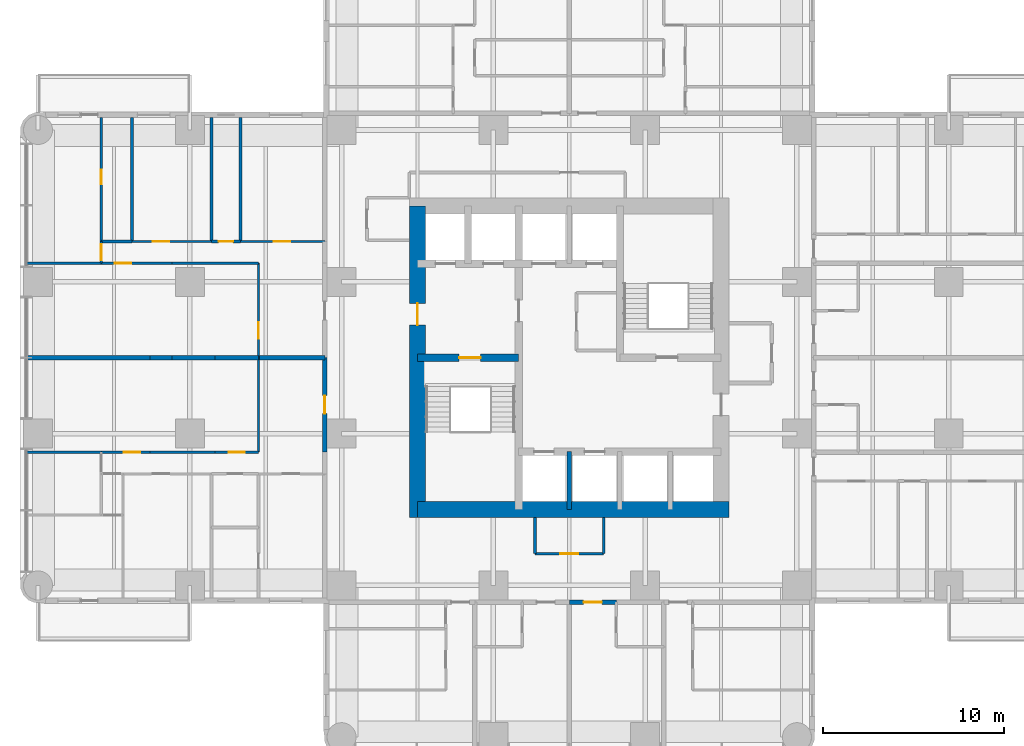
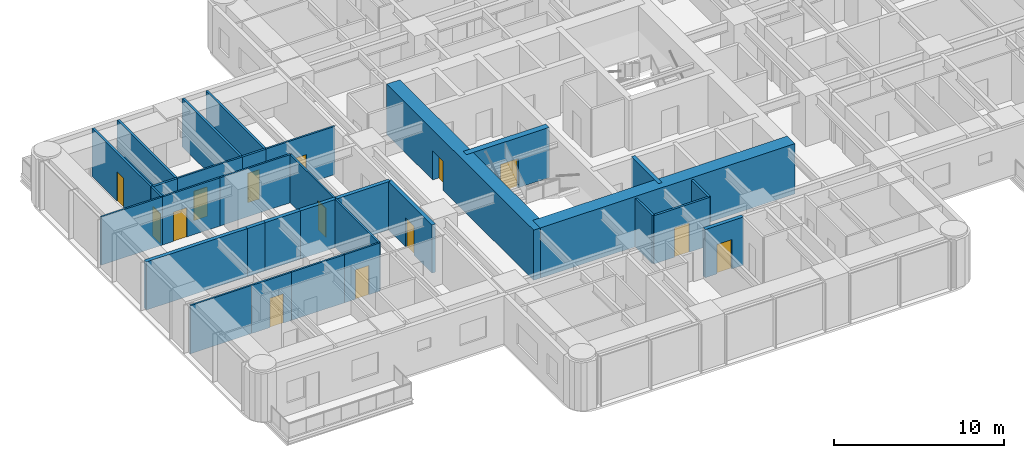
# One storey, part 7 of 14: 32 walls, 14 doors, 14 openings.
"""IFC4 building model written with IfcOpenShell, lengths in metres."""

from ifc_helpers import new_model, si_unit, direction, frame, frame_2d, origin, place, context, subcontext, project, spatial, rectangle, extrude, material, layer, layer_set, type_object, element, fill, save


model = new_model("IFC4")

# Units and contexts
model_context = context("Model", 3, precision=1e-05, world=origin(), true_north=direction((0.0, 1.0)))
body_context = subcontext(model_context, "Body", "Model", "MODEL_VIEW")
ifc_project = project(units=[si_unit("LENGTHUNIT", "METRE"), si_unit("AREAUNIT", "SQUARE_METRE"), si_unit("VOLUMEUNIT", "CUBIC_METRE"), si_unit("PLANEANGLEUNIT", "RADIAN"), si_unit("MASSUNIT", "GRAM", prefix="KILO")], contexts=[model_context])

# Site, building, storey
site_placement = place(None, origin())
site = spatial("IfcSite", under=ifc_project, at=site_placement, CompositionType="ELEMENT")
building_placement = place(site_placement, origin())
building = spatial("IfcBuilding", under=site, at=building_placement, Name="Torre Alcanfor", CompositionType="ELEMENT")
storey_placement = place(building_placement, frame((0.0, 0.0, 159.300048828125)))
storey = spatial("IfcBuildingStorey", under=building, at=storey_placement, Name="L41", CompositionType="ELEMENT", Elevation=159.300048828125)

# Wall, opening, door
ifc_material_1 = material(Name="Concrete block masonry, hollow blocks NMX-C-404 9 MPa", Category="masonry")
ifc_layer_1 = layer(ifc_material_1, 0.25)
ifc_layer_set_1 = layer_set([ifc_layer_1], Name="Apartment entrance wall 250 EI 60")
wall_type_1 = type_object("IfcWallType", Name="Apartment entrance wall 250 EI 60", PredefinedType="PARTITIONING", material=ifc_layer_set_1)
wall_1_placement = place(storey_placement, frame((32.0, 15.875, 0.0), z_axis=(0.0, 0.0, 1.0), x_axis=(-1.0, 0.0, 0.0)))
wall_1 = element("IfcWall", 1, at=wall_1_placement, inside=storey, type_object=wall_type_1, Name="Partition L41-CORR / L41-S1A-STUDIO", PredefinedType="PARTITIONING", context=body_context, shape_type="SweptSolid", body=[
    extrude(rectangle(XDim=2.60009765625, YDim=0.25, at=frame_2d((1.300048828125, 0.0))), origin(), (0.0, 0.0, 1.0), 3.449951171875),
])
opening_1_placement = place(wall_1_placement, frame((0.800048828125, 0.0, 0.0)))
opening_1 = element("IfcOpeningElement", 2, at=opening_1_placement, cuts=wall_1, Name="Opening D-A1", PredefinedType="OPENING", context=body_context, shape_type="SweptSolid", body=[
    extrude(rectangle(XDim=1.0, YDim=2.10009765625, at=frame_2d((0.5, 1.050048828125))), frame((0.0, 0.135009765625, 0.0), z_axis=(0.0, -1.0, 0.0), x_axis=(1.0, 0.0, 0.0)), (0.0, 0.0, 1.0), 0.27001953125),
])
ifc_material_2 = material(Name="Galvanised steel sheet ASTM A653", Category="steel")
door_type_1 = type_object("IfcDoorType", Name="Apartment entrance door FD60 1000x2100", OperationType="SINGLE_SWING_LEFT", PredefinedType="DOOR", material=ifc_material_2)
door_1_placement = place(opening_1_placement, origin())
door_1 = element("IfcDoor", 3, at=door_1_placement, inside=storey, type_object=door_type_1, Name="Apartment entrance L41-S1A", OperationType="SINGLE_SWING_LEFT", OverallHeight=2.10009765625, OverallWidth=1.0, PredefinedType="DOOR", context=body_context, shape_type="SweptSolid", body=[
    extrude(rectangle(XDim=1.0, YDim=2.10009765625, at=frame_2d((0.5, 1.050048828125))), frame((0.0, 0.02490234375, 0.0), z_axis=(0.0, -1.0, 0.0), x_axis=(1.0, 0.0, 0.0)), (0.0, 0.0, 1.0), 0.050048828125),
])
fill(opening_1, door_1)

wall_2_placement = place(storey_placement, frame((15.875, 24.1708984375, 0.0), z_axis=(0.0, 0.0, 1.0), x_axis=(0.0, 1.0, 0.0)))
wall_2 = element("IfcWall", 4, at=wall_2_placement, inside=storey, type_object=wall_type_1, Name="Partition L41-CORR / L41-W1-ZAG", PredefinedType="PARTITIONING", context=body_context, shape_type="SweptSolid", body=[
    extrude(rectangle(XDim=5.22900390625, YDim=0.25, at=frame_2d((2.614501953125, 0.0))), origin(), (0.0, 0.0, 1.0), 3.449951171875),
])
opening_2_placement = place(wall_2_placement, frame((2.12890625, 0.0, 0.0)))
opening_2 = element("IfcOpeningElement", 5, at=opening_2_placement, cuts=wall_2, Name="Opening D-A1", PredefinedType="OPENING", context=body_context, shape_type="SweptSolid", body=[
    extrude(rectangle(XDim=1.0, YDim=2.10009765625, at=frame_2d((0.5, 1.050048828125))), frame((0.0, 0.135009765625, 0.0), z_axis=(0.0, -1.0, 0.0), x_axis=(1.0, 0.0, 0.0)), (0.0, 0.0, 1.0), 0.27001953125),
])
door_2_placement = place(opening_2_placement, origin())
door_2 = element("IfcDoor", 6, at=door_2_placement, inside=storey, type_object=door_type_1, Name="Apartment entrance L41-W1", OperationType="SINGLE_SWING_RIGHT", OverallHeight=2.10009765625, OverallWidth=1.0, PredefinedType="DOOR", context=body_context, shape_type="SweptSolid", body=[
    extrude(rectangle(XDim=1.0, YDim=2.10009765625, at=frame_2d((0.5, 1.050048828125))), frame((0.0, 0.02490234375, 0.0), z_axis=(0.0, -1.0, 0.0), x_axis=(1.0, 0.0, 0.0)), (0.0, 0.0, 1.0), 0.050048828125),
])
fill(opening_2, door_2)

# Wall
ifc_material_3 = material(Name="Gypsum board on steel studs", Category="steel")
ifc_layer_2 = layer(ifc_material_3, 0.1201171875)
ifc_layer_set_2 = layer_set([ifc_layer_2], Name="Apartment partition 120")
wall_type_2 = type_object("IfcWallType", Name="Apartment partition 120", PredefinedType="PARTITIONING", material=ifc_layer_set_2)
wall_3_placement = place(storey_placement, frame((12.199951171875, 29.39990234375, 0.0), z_axis=(0.0, 0.0, 1.0), x_axis=(0.0, -1.0, 0.0)))
element("IfcWall", 7, at=wall_3_placement, inside=storey, type_object=wall_type_2, Name="Partition L41-W1-ZAG / L41-W1-LAUND", PredefinedType="PARTITIONING", context=body_context, shape_type="SweptSolid", body=[
    extrude(rectangle(XDim=5.22900390625, YDim=0.1201171875, at=frame_2d((2.614501953125, 0.0))), origin(), (0.0, 0.0, 1.0), 3.449951171875),
])

# Wall, opening, door
wall_4_placement = place(storey_placement, frame((9.800048828125, 24.1708984375, 0.0), z_axis=(0.0, 0.0, 1.0), x_axis=(1.0, 0.0, 0.0)))
wall_4 = element("IfcWall", 8, at=wall_4_placement, inside=storey, type_object=wall_type_2, Name="Partition L41-W1-LAUND / L41-W1-HALL", PredefinedType="PARTITIONING", context=body_context, shape_type="SweptSolid", body=[
    extrude(rectangle(XDim=2.39990234375, YDim=0.1201171875, at=frame_2d((1.199951171875, 0.0))), origin(), (0.0, 0.0, 1.0), 3.449951171875),
])
opening_3_placement = place(wall_4_placement, frame((0.75, 0.0, 0.0)))
opening_3 = element("IfcOpeningElement", 9, at=opening_3_placement, cuts=wall_4, Name="Opening D-R1", PredefinedType="OPENING", context=body_context, shape_type="SweptSolid", body=[
    extrude(rectangle(XDim=0.89990234375, YDim=2.10009765625, at=frame_2d((0.449951171875, 1.050048828125))), frame((0.0, 0.070068359375, 0.0), z_axis=(0.0, -1.0, 0.0), x_axis=(1.0, 0.0, 0.0)), (0.0, 0.0, 1.0), 0.14013671875),
])
ifc_material_4 = material(Name="Timber", Category="wood")
door_type_2 = type_object("IfcDoorType", Name="Internal door 900x2100", OperationType="SINGLE_SWING_LEFT", PredefinedType="DOOR", material=ifc_material_4)
door_3_placement = place(opening_3_placement, origin())
door_3 = element("IfcDoor", 10, at=door_3_placement, inside=storey, type_object=door_type_2, Name="Door L41-W1 laund", OperationType="SINGLE_SWING_LEFT", OverallHeight=2.10009765625, OverallWidth=0.89990234375, PredefinedType="DOOR", context=body_context, shape_type="SweptSolid", body=[
    extrude(rectangle(XDim=0.89990234375, YDim=2.10009765625, at=frame_2d((0.449951171875, 1.050048828125))), frame((0.0, 0.02490234375, 0.0), z_axis=(0.0, -1.0, 0.0), x_axis=(1.0, 0.0, 0.0)), (0.0, 0.0, 1.0), 0.050048828125),
])
fill(opening_3, door_3)

# Wall
wall_5_placement = place(storey_placement, frame((6.199951171875, 24.1708984375, 0.0), z_axis=(0.0, 0.0, 1.0), x_axis=(1.0, 0.0, 0.0)))
element("IfcWall", 11, at=wall_5_placement, inside=storey, type_object=wall_type_2, Name="Partition L41-W1-KITCHEN / L41-W1-HALL", PredefinedType="PARTITIONING", context=body_context, shape_type="SweptSolid", body=[
    extrude(rectangle(XDim=3.60009765625, YDim=0.1201171875, at=frame_2d((1.800048828125, 0.0))), origin(), (0.0, 0.0, 1.0), 3.449951171875),
])

# Wall, opening, door
wall_6_placement = place(storey_placement, frame((3.5, 24.1708984375, 0.0), z_axis=(0.0, 0.0, 1.0), x_axis=(1.0, 0.0, 0.0)))
wall_6 = element("IfcWall", 12, at=wall_6_placement, inside=storey, type_object=wall_type_2, Name="Partition L41-W1-LIVING / L41-W1-HALL", PredefinedType="PARTITIONING", context=body_context, shape_type="SweptSolid", body=[
    extrude(rectangle(XDim=2.699951171875, YDim=0.1201171875, at=frame_2d((1.35009765625, 0.0))), origin(), (0.0, 0.0, 1.0), 3.449951171875),
])
opening_4_placement = place(wall_6_placement, frame((1.25, 0.0, 0.0)))
opening_4 = element("IfcOpeningElement", 13, at=opening_4_placement, cuts=wall_6, Name="Opening D-R1", PredefinedType="OPENING", context=body_context, shape_type="SweptSolid", body=[
    extrude(rectangle(XDim=0.89990234375, YDim=2.10009765625, at=frame_2d((0.449951171875, 1.050048828125))), frame((0.0, 0.070068359375, 0.0), z_axis=(0.0, -1.0, 0.0), x_axis=(1.0, 0.0, 0.0)), (0.0, 0.0, 1.0), 0.14013671875),
])
door_4_placement = place(opening_4_placement, origin())
door_4 = element("IfcDoor", 14, at=door_4_placement, inside=storey, type_object=door_type_2, Name="Door L41-W1 living", OperationType="SINGLE_SWING_RIGHT", OverallHeight=2.10009765625, OverallWidth=0.89990234375, PredefinedType="DOOR", context=body_context, shape_type="SweptSolid", body=[
    extrude(rectangle(XDim=0.89990234375, YDim=2.10009765625, at=frame_2d((0.449951171875, 1.050048828125))), frame((0.0, 0.02490234375, 0.0), z_axis=(0.0, -1.0, 0.0), x_axis=(1.0, 0.0, 0.0)), (0.0, 0.0, 1.0), 0.050048828125),
])
fill(opening_4, door_4)

# Wall
wall_7_placement = place(storey_placement, frame((-0.64990234375, 24.1708984375, 0.0), z_axis=(0.0, 0.0, 1.0), x_axis=(1.0, 0.0, 0.0)))
element("IfcWall", 15, at=wall_7_placement, inside=storey, type_object=wall_type_2, Name="Partition L41-W1-LIVING / L41-W1-BED2", PredefinedType="PARTITIONING", context=body_context, shape_type="SweptSolid", body=[
    extrude(rectangle(XDim=4.14990234375, YDim=0.1201171875, at=frame_2d((2.074951171875, 0.0))), origin(), (0.0, 0.0, 1.0), 3.449951171875),
])

# Wall, opening, door
wall_8_placement = place(storey_placement, frame((12.199951171875, 29.39990234375, 0.0), z_axis=(0.0, 0.0, 1.0), x_axis=(0.0, 1.0, 0.0)))
wall_8 = element("IfcWall", 16, at=wall_8_placement, inside=storey, type_object=wall_type_2, Name="Partition L41-W2-ZAG / L41-W2-KITCHEN", PredefinedType="PARTITIONING", context=body_context, shape_type="SweptSolid", body=[
    extrude(rectangle(XDim=5.22900390625, YDim=0.1201171875, at=frame_2d((2.614501953125, 0.0))), origin(), (0.0, 0.0, 1.0), 3.449951171875),
])
opening_5_placement = place(wall_8_placement, frame((1.050048828125, 0.0, 0.0)))
opening_5 = element("IfcOpeningElement", 17, at=opening_5_placement, cuts=wall_8, Name="Opening D-R1", PredefinedType="OPENING", context=body_context, shape_type="SweptSolid", body=[
    extrude(rectangle(XDim=0.89990234375, YDim=2.10009765625, at=frame_2d((0.449951171875, 1.050048828125))), frame((0.0, 0.070068359375, 0.0), z_axis=(0.0, -1.0, 0.0), x_axis=(1.0, 0.0, 0.0)), (0.0, 0.0, 1.0), 0.14013671875),
])
door_5_placement = place(opening_5_placement, origin())
door_5 = element("IfcDoor", 18, at=door_5_placement, inside=storey, type_object=door_type_2, Name="Door L41-W2 kitchen", OperationType="SINGLE_SWING_LEFT", OverallHeight=2.10009765625, OverallWidth=0.89990234375, PredefinedType="DOOR", context=body_context, shape_type="SweptSolid", body=[
    extrude(rectangle(XDim=0.89990234375, YDim=2.10009765625, at=frame_2d((0.449951171875, 1.050048828125))), frame((0.0, 0.02490234375, 0.0), z_axis=(0.0, -1.0, 0.0), x_axis=(1.0, 0.0, 0.0)), (0.0, 0.0, 1.0), 0.050048828125),
])
fill(opening_5, door_5)

# Wall
wall_9_placement = place(storey_placement, frame((7.39990234375, 34.62890625, 0.0), z_axis=(0.0, 0.0, 1.0), x_axis=(1.0, 0.0, 0.0)))
element("IfcWall", 19, at=wall_9_placement, inside=storey, type_object=wall_type_2, Name="Partition L41-W2-KITCHEN / L41-W2-HALL", PredefinedType="PARTITIONING", context=body_context, shape_type="SweptSolid", body=[
    extrude(rectangle(XDim=4.800048828125, YDim=0.1201171875, at=frame_2d((2.39990234375, 0.0))), origin(), (0.0, 0.0, 1.0), 3.449951171875),
])

# Wall, opening, door
wall_10_placement = place(storey_placement, frame((3.5, 34.62890625, 0.0), z_axis=(0.0, 0.0, 1.0), x_axis=(1.0, 0.0, 0.0)))
wall_10 = element("IfcWall", 20, at=wall_10_placement, inside=storey, type_object=wall_type_2, Name="Partition L41-W2-LIVING / L41-W2-HALL", PredefinedType="PARTITIONING", context=body_context, shape_type="SweptSolid", body=[
    extrude(rectangle(XDim=3.89990234375, YDim=0.1201171875, at=frame_2d((1.949951171875, 0.0))), origin(), (0.0, 0.0, 1.0), 3.449951171875),
])
opening_6_placement = place(wall_10_placement, frame((0.75, 0.0, 0.0)))
opening_6 = element("IfcOpeningElement", 21, at=opening_6_placement, cuts=wall_10, Name="Opening D-R1", PredefinedType="OPENING", context=body_context, shape_type="SweptSolid", body=[
    extrude(rectangle(XDim=0.89990234375, YDim=2.10009765625, at=frame_2d((0.449951171875, 1.050048828125))), frame((0.0, 0.070068359375, 0.0), z_axis=(0.0, -1.0, 0.0), x_axis=(1.0, 0.0, 0.0)), (0.0, 0.0, 1.0), 0.14013671875),
])
door_6_placement = place(opening_6_placement, frame((0.89990234375, 0.0, 0.0), z_axis=(0.0, 0.0, 1.0), x_axis=(-1.0, 0.0, 0.0)))
door_6 = element("IfcDoor", 22, at=door_6_placement, inside=storey, type_object=door_type_2, Name="Door L41-W2 living", OperationType="SINGLE_SWING_LEFT", OverallHeight=2.10009765625, OverallWidth=0.89990234375, PredefinedType="DOOR", context=body_context, shape_type="SweptSolid", body=[
    extrude(rectangle(XDim=0.89990234375, YDim=2.10009765625, at=frame_2d((0.449951171875, 1.050048828125))), frame((0.0, 0.025146484375, 0.0), z_axis=(0.0, -1.0, 0.0), x_axis=(1.0, 0.0, 0.0)), (0.0, 0.0, 1.0), 0.050048828125),
])
fill(opening_6, door_6)

# Wall
wall_11_placement = place(storey_placement, frame((-0.64990234375, 34.62890625, 0.0), z_axis=(0.0, 0.0, 1.0), x_axis=(1.0, 0.0, 0.0)))
element("IfcWall", 23, at=wall_11_placement, inside=storey, type_object=wall_type_2, Name="Partition L41-W2-LIVING / L41-W2-MASTER", PredefinedType="PARTITIONING", context=body_context, shape_type="SweptSolid", body=[
    extrude(rectangle(XDim=4.14990234375, YDim=0.1201171875, at=frame_2d((2.074951171875, 0.0))), origin(), (0.0, 0.0, 1.0), 3.449951171875),
])

# Wall, opening, door
wall_12_placement = place(storey_placement, frame((11.199951171875, 35.8291015625, 0.0), z_axis=(0.0, 0.0, 1.0), x_axis=(1.0, 0.0, 0.0)))
wall_12 = element("IfcWall", 24, at=wall_12_placement, inside=storey, type_object=wall_type_2, Name="Partition L41-W2-HALL / L41-W2-BED3", PredefinedType="PARTITIONING", context=body_context, shape_type="SweptSolid", body=[
    extrude(rectangle(XDim=4.675048828125, YDim=0.1201171875, at=frame_2d((2.33740234375, 0.0))), origin(), (0.0, 0.0, 1.0), 3.449951171875),
])
opening_7_placement = place(wall_12_placement, frame((1.85009765625, 0.0, 0.0)))
opening_7 = element("IfcOpeningElement", 25, at=opening_7_placement, cuts=wall_12, Name="Opening D-R1", PredefinedType="OPENING", context=body_context, shape_type="SweptSolid", body=[
    extrude(rectangle(XDim=0.89990234375, YDim=2.10009765625, at=frame_2d((0.449951171875, 1.050048828125))), frame((0.0, 0.070068359375, 0.0), z_axis=(0.0, -1.0, 0.0), x_axis=(1.0, 0.0, 0.0)), (0.0, 0.0, 1.0), 0.14013671875),
])
door_7_placement = place(opening_7_placement, origin())
door_7 = element("IfcDoor", 26, at=door_7_placement, inside=storey, type_object=door_type_2, Name="Door L41-W2 bed3", OperationType="SINGLE_SWING_LEFT", OverallHeight=2.10009765625, OverallWidth=0.89990234375, PredefinedType="DOOR", context=body_context, shape_type="SweptSolid", body=[
    extrude(rectangle(XDim=0.89990234375, YDim=2.10009765625, at=frame_2d((0.449951171875, 1.050048828125))), frame((0.0, 0.02490234375, 0.0), z_axis=(0.0, -1.0, 0.0), x_axis=(1.0, 0.0, 0.0)), (0.0, 0.0, 1.0), 0.050048828125),
])
fill(opening_7, door_7)

wall_13_placement = place(storey_placement, frame((5.199951171875, 35.8291015625, 0.0), z_axis=(0.0, 0.0, 1.0), x_axis=(1.0, 0.0, 0.0)))
wall_13 = element("IfcWall", 27, at=wall_13_placement, inside=storey, type_object=wall_type_2, Name="Partition L41-W2-HALL / L41-W2-BED2", PredefinedType="PARTITIONING", context=body_context, shape_type="SweptSolid", body=[
    extrude(rectangle(XDim=4.400146484375, YDim=0.1201171875, at=frame_2d((2.2001953125, 0.0))), origin(), (0.0, 0.0, 1.0), 3.449951171875),
])
opening_8_placement = place(wall_13_placement, frame((1.14990234375, 0.0, 0.0)))
opening_8 = element("IfcOpeningElement", 28, at=opening_8_placement, cuts=wall_13, Name="Opening D-R1", PredefinedType="OPENING", context=body_context, shape_type="SweptSolid", body=[
    extrude(rectangle(XDim=0.89990234375, YDim=2.10009765625, at=frame_2d((0.449951171875, 1.050048828125))), frame((0.0, 0.070068359375, 0.0), z_axis=(0.0, -1.0, 0.0), x_axis=(1.0, 0.0, 0.0)), (0.0, 0.0, 1.0), 0.14013671875),
])
door_8_placement = place(opening_8_placement, origin())
door_8 = element("IfcDoor", 29, at=door_8_placement, inside=storey, type_object=door_type_2, Name="Door L41-W2 bed2", OperationType="SINGLE_SWING_LEFT", OverallHeight=2.10009765625, OverallWidth=0.89990234375, PredefinedType="DOOR", context=body_context, shape_type="SweptSolid", body=[
    extrude(rectangle(XDim=0.89990234375, YDim=2.10009765625, at=frame_2d((0.449951171875, 1.050048828125))), frame((0.0, 0.02490234375, 0.0), z_axis=(0.0, -1.0, 0.0), x_axis=(1.0, 0.0, 0.0)), (0.0, 0.0, 1.0), 0.050048828125),
])
fill(opening_8, door_8)

wall_14_placement = place(storey_placement, frame((3.5, 34.62890625, 0.0), z_axis=(0.0, 0.0, 1.0), x_axis=(0.0, 1.0, 0.0)))
wall_14 = element("IfcWall", 30, at=wall_14_placement, inside=storey, type_object=wall_type_2, Name="Partition L41-W2-HALL / L41-W2-MASTER", PredefinedType="PARTITIONING", context=body_context, shape_type="SweptSolid", body=[
    extrude(rectangle(XDim=1.2001953125, YDim=0.1201171875, at=frame_2d((0.60009765625, 0.0))), origin(), (0.0, 0.0, 1.0), 3.449951171875),
])
opening_9_placement = place(wall_14_placement, frame((0.15087890625, 0.0, 0.0)))
opening_9 = element("IfcOpeningElement", 31, at=opening_9_placement, cuts=wall_14, Name="Opening D-R1", PredefinedType="OPENING", context=body_context, shape_type="SweptSolid", body=[
    extrude(rectangle(XDim=0.89990234375, YDim=2.10009765625, at=frame_2d((0.449951171875, 1.050048828125))), frame((0.0, 0.070068359375, 0.0), z_axis=(0.0, -1.0, 0.0), x_axis=(1.0, 0.0, 0.0)), (0.0, 0.0, 1.0), 0.14013671875),
])
door_9_placement = place(opening_9_placement, origin())
door_9 = element("IfcDoor", 32, at=door_9_placement, inside=storey, type_object=door_type_2, Name="Door L41-W2 master", OperationType="SINGLE_SWING_LEFT", OverallHeight=2.10009765625, OverallWidth=0.89990234375, PredefinedType="DOOR", context=body_context, shape_type="SweptSolid", body=[
    extrude(rectangle(XDim=0.89990234375, YDim=2.10009765625, at=frame_2d((0.449951171875, 1.050048828125))), frame((0.0, 0.02490234375, 0.0), z_axis=(0.0, -1.0, 0.0), x_axis=(1.0, 0.0, 0.0)), (0.0, 0.0, 1.0), 0.050048828125),
])
fill(opening_9, door_9)

ifc_material_5 = material(Name="Concrete f'c 70 MPa", Category="concrete")
ifc_layer_3 = layer(ifc_material_5, 0.39990234375)
ifc_layer_set_3 = layer_set([ifc_layer_3], Name="Core inner wall 400 f'c70")
wall_type_3 = type_object("IfcWallType", Name="Core inner wall 400 f'c70", PredefinedType="SHEAR", material=ifc_layer_set_3)
wall_15_placement = place(storey_placement, frame((21.0, 29.39990234375, 0.0), z_axis=(0.0, 0.0, 1.0), x_axis=(1.0, 0.0, 0.0)))
wall_15 = element("IfcWall", 33, at=wall_15_placement, inside=storey, type_object=wall_type_3, Name="Core wall Y294W L41", PredefinedType="SHEAR", context=body_context, shape_type="SweptSolid", body=[
    extrude(rectangle(XDim=5.60009765625, YDim=0.39990234375, at=frame_2d((2.800048828125, 0.0))), origin(), (0.0, 0.0, 1.0), 3.599853515625),
])
opening_10_placement = place(wall_15_placement, frame((2.300048828125, 0.0, 0.0)))
opening_10 = element("IfcOpeningElement", 34, at=opening_10_placement, cuts=wall_15, Name="Opening D-S2", PredefinedType="OPENING", context=body_context, shape_type="SweptSolid", body=[
    extrude(rectangle(XDim=1.199951171875, YDim=2.10009765625, at=frame_2d((0.60009765625, 1.050048828125))), frame((0.0, 0.2099609375, 0.0), z_axis=(0.0, -1.0, 0.0), x_axis=(1.0, 0.0, 0.0)), (0.0, 0.0, 1.0), 0.419921875),
])
ifc_material_6 = material(Name="Galvanised steel sheet ASTM A653", Category="steel")
door_type_3 = type_object("IfcDoorType", Name="Stair enclosure door FD120 1200x2100", OperationType="SINGLE_SWING_LEFT", PredefinedType="DOOR", material=ifc_material_6)
door_10_placement = place(opening_10_placement, frame((1.199951171875, 0.0, 0.0), z_axis=(0.0, 0.0, 1.0), x_axis=(-1.0, 0.0, 0.0)))
door_10 = element("IfcDoor", 35, at=door_10_placement, inside=storey, type_object=door_type_3, Name="Stair S1 door L41", OperationType="SINGLE_SWING_LEFT", OverallHeight=2.10009765625, OverallWidth=1.199951171875, PredefinedType="DOOR", context=body_context, shape_type="SweptSolid", body=[
    extrude(rectangle(XDim=1.199951171875, YDim=2.10009765625, at=frame_2d((0.599853515625, 1.050048828125))), frame((0.0, 0.025146484375, 0.0), z_axis=(0.0, -1.0, 0.0), x_axis=(1.0, 0.0, 0.0)), (0.0, 0.0, 1.0), 0.050048828125),
])
fill(opening_10, door_10)

# Walls
ifc_material_7 = material(Name="Concrete f'c 70 MPa", Category="concrete")
ifc_layer_4 = layer(ifc_material_7, 0.25)
ifc_layer_set_4 = layer_set([ifc_layer_4], Name="Core shaft wall 250 f'c70")
wall_type_4 = type_object("IfcWallType", Name="Core shaft wall 250 f'c70", PredefinedType="SHEAR", material=ifc_layer_set_4)
wall_16_placement = place(storey_placement, frame((29.39990234375, 21.0, 0.0), z_axis=(0.0, 0.0, 1.0), x_axis=(0.0, 1.0, 0.0)))
element("IfcWall", 36, at=wall_16_placement, inside=storey, type_object=wall_type_4, Name="Core wall X294S L41", PredefinedType="SHEAR", context=body_context, shape_type="SweptSolid", body=[
    extrude(rectangle(XDim=3.199951171875, YDim=0.25, at=frame_2d((1.60009765625, 0.0))), origin(), (0.0, 0.0, 1.0), 3.599853515625),
])
ifc_material_8 = material(Name="Concrete f'c 70 MPa", Category="concrete")
ifc_layer_5 = layer(ifc_material_8, 0.89990234375)
ifc_layer_set_5 = layer_set([ifc_layer_5], Name="Core wall 900 f'c70")
wall_type_5 = type_object("IfcWallType", Name="Core wall 900 f'c70", PredefinedType="SHEAR", material=ifc_layer_set_5)
wall_17_placement = place(storey_placement, frame((21.0, 21.0, 0.0), z_axis=(0.0, 0.0, 1.0), x_axis=(1.0, 0.0, 0.0)))
element("IfcWall", 37, at=wall_17_placement, inside=storey, type_object=wall_type_5, Name="Core wall OUT-S L41", PredefinedType="SHEAR", context=body_context, shape_type="SweptSolid", body=[
    extrude(rectangle(XDim=17.25, YDim=0.89990234375, at=frame_2d((8.625, 0.0))), origin(), (0.0, 0.0, 1.0), 3.599853515625),
])

# Wall, opening, door
wall_18_placement = place(storey_placement, frame((21.0, 37.800048828125, 0.0), z_axis=(0.0, 0.0, 1.0), x_axis=(0.0, -1.0, 0.0)))
wall_18 = element("IfcWall", 38, at=wall_18_placement, inside=storey, type_object=wall_type_5, Name="Core wall OUT-W L41", PredefinedType="SHEAR", context=body_context, shape_type="SweptSolid", body=[
    extrude(rectangle(XDim=17.25, YDim=0.89990234375, at=frame_2d((8.625, 0.0))), origin(), (0.0, 0.0, 1.0), 3.599853515625),
])
opening_11_placement = place(wall_18_placement, frame((5.39990234375, 0.0, 0.0)))
opening_11 = element("IfcOpeningElement", 39, at=opening_11_placement, cuts=wall_18, Name="Opening D-L1", PredefinedType="OPENING", context=body_context, shape_type="SweptSolid", body=[
    extrude(rectangle(XDim=1.199951171875, YDim=2.10009765625, at=frame_2d((0.60009765625, 1.050048828125))), frame((0.0, 0.4599609375, 0.0), z_axis=(0.0, -1.0, 0.0), x_axis=(1.0, 0.0, 0.0)), (0.0, 0.0, 1.0), 0.919921875),
])
ifc_material_9 = material(Name="Galvanised steel sheet ASTM A653", Category="steel")
door_type_4 = type_object("IfcDoorType", Name="Lobby door FD120 1200x2100", OperationType="SINGLE_SWING_LEFT", PredefinedType="DOOR", material=ifc_material_9)
door_11_placement = place(opening_11_placement, origin())
door_11 = element("IfcDoor", 40, at=door_11_placement, inside=storey, type_object=door_type_4, Name="Firefighting lobby door L41", OperationType="SINGLE_SWING_LEFT", OverallHeight=2.10009765625, OverallWidth=1.199951171875, PredefinedType="DOOR", context=body_context, shape_type="SweptSolid", body=[
    extrude(rectangle(XDim=1.199951171875, YDim=2.10009765625, at=frame_2d((0.60009765625, 1.050048828125))), frame((0.0, 0.02490234375, 0.0), z_axis=(0.0, -1.0, 0.0), x_axis=(1.0, 0.0, 0.0)), (0.0, 0.0, 1.0), 0.050048828125),
])
fill(opening_11, door_11)

# Walls
ifc_material_10 = material(Name="Concrete block masonry, hollow blocks NMX-C-404 9 MPa", Category="masonry")
ifc_layer_6 = layer(ifc_material_10, 0.25)
ifc_layer_set_6 = layer_set([ifc_layer_6], Name="Party wall 250 EI 60")
wall_type_6 = type_object("IfcWallType", Name="Party wall 250 EI 60", PredefinedType="PARTITIONING", material=ifc_layer_set_6)
wall_19_placement = place(storey_placement, frame((15.875, 29.39990234375, 0.0), z_axis=(0.0, 0.0, 1.0), x_axis=(-1.0, 0.0, 0.0)))
element("IfcWall", 41, at=wall_19_placement, inside=storey, type_object=wall_type_6, Name="Partition L41-W1-ZAG / L41-W2-ZAG", PredefinedType="PARTITIONING", context=body_context, shape_type="SweptSolid", body=[
    extrude(rectangle(XDim=3.675048828125, YDim=0.25, at=frame_2d((1.83740234375, 0.0))), origin(), (0.0, 0.0, 1.0), 3.449951171875),
])
wall_20_placement = place(storey_placement, frame((12.199951171875, 29.39990234375, 0.0), z_axis=(0.0, 0.0, 1.0), x_axis=(-1.0, 0.0, 0.0)))
element("IfcWall", 42, at=wall_20_placement, inside=storey, type_object=wall_type_6, Name="Partition L41-W1-LAUND / L41-W2-KITCHEN", PredefinedType="PARTITIONING", context=body_context, shape_type="SweptSolid", body=[
    extrude(rectangle(XDim=2.39990234375, YDim=0.25, at=frame_2d((1.199951171875, 0.0))), origin(), (0.0, 0.0, 1.0), 3.449951171875),
])
wall_21_placement = place(storey_placement, frame((9.800048828125, 29.39990234375, 0.0), z_axis=(0.0, 0.0, 1.0), x_axis=(-1.0, 0.0, 0.0)))
element("IfcWall", 43, at=wall_21_placement, inside=storey, type_object=wall_type_6, Name="Partition L41-W1-KITCHEN / L41-W2-KITCHEN", PredefinedType="PARTITIONING", context=body_context, shape_type="SweptSolid", body=[
    extrude(rectangle(XDim=2.400146484375, YDim=0.25, at=frame_2d((1.2001953125, 0.0))), origin(), (0.0, 0.0, 1.0), 3.449951171875),
])
wall_22_placement = place(storey_placement, frame((7.39990234375, 29.39990234375, 0.0), z_axis=(0.0, 0.0, 1.0), x_axis=(-1.0, 0.0, 0.0)))
element("IfcWall", 44, at=wall_22_placement, inside=storey, type_object=wall_type_6, Name="Partition L41-W1-KITCHEN / L41-W2-LIVING", PredefinedType="PARTITIONING", context=body_context, shape_type="SweptSolid", body=[
    extrude(rectangle(XDim=1.199951171875, YDim=0.25, at=frame_2d((0.60009765625, 0.0))), origin(), (0.0, 0.0, 1.0), 3.449951171875),
])
wall_23_placement = place(storey_placement, frame((6.199951171875, 29.39990234375, 0.0), z_axis=(0.0, 0.0, 1.0), x_axis=(-1.0, 0.0, 0.0)))
element("IfcWall", 45, at=wall_23_placement, inside=storey, type_object=wall_type_6, Name="Partition L41-W1-LIVING / L41-W2-LIVING", PredefinedType="PARTITIONING", context=body_context, shape_type="SweptSolid", body=[
    extrude(rectangle(XDim=6.849853515625, YDim=0.25, at=frame_2d((3.4248046875, 0.0))), origin(), (0.0, 0.0, 1.0), 3.449951171875),
])
ifc_material_11 = material(Name="Concrete block masonry, hollow blocks NMX-C-404 9 MPa", Category="masonry")
ifc_layer_7 = layer(ifc_material_11, 0.14990234375)
ifc_layer_set_7 = layer_set([ifc_layer_7], Name="Residents' room partition 150")
wall_type_7 = type_object("IfcWallType", Name="Residents' room partition 150", PredefinedType="PARTITIONING", material=ifc_layer_set_7)
wall_24_placement = place(storey_placement, frame((27.5, 20.550048828125, 0.0), z_axis=(0.0, 0.0, 1.0), x_axis=(0.0, -1.0, 0.0)))
element("IfcWall", 46, at=wall_24_placement, inside=storey, type_object=wall_type_7, Name="Partition L41-CORR / L41-G03", PredefinedType="PARTITIONING", context=body_context, shape_type="SweptSolid", body=[
    extrude(rectangle(XDim=2.0, YDim=0.14990234375, at=frame_2d((1.0, 0.0))), origin(), (0.0, 0.0, 1.0), 3.449951171875),
])

# Wall, opening, door
wall_25_placement = place(storey_placement, frame((27.5, 18.550048828125, 0.0), z_axis=(0.0, 0.0, 1.0), x_axis=(1.0, 0.0, 0.0)))
wall_25 = element("IfcWall", 47, at=wall_25_placement, inside=storey, type_object=wall_type_7, Name="Partition L41-CORR / L41-G03", PredefinedType="PARTITIONING", context=body_context, shape_type="SweptSolid", body=[
    extrude(rectangle(XDim=3.800048828125, YDim=0.14990234375, at=frame_2d((1.89990234375, 0.0))), origin(), (0.0, 0.0, 1.0), 3.449951171875),
])
opening_12_placement = place(wall_25_placement, frame((1.39990234375, 0.0, 0.0)))
opening_12 = element("IfcOpeningElement", 48, at=opening_12_placement, cuts=wall_25, Name="Opening D-M1", PredefinedType="OPENING", context=body_context, shape_type="SweptSolid", body=[
    extrude(rectangle(XDim=1.0, YDim=2.10009765625, at=frame_2d((0.5, 1.050048828125))), frame((0.0, 0.0849609375, 0.0), z_axis=(0.0, -1.0, 0.0), x_axis=(1.0, 0.0, 0.0)), (0.0, 0.0, 1.0), 0.169921875),
])
ifc_material_12 = material(Name="Timber", Category="wood")
door_type_5 = type_object("IfcDoorType", Name="Residents' room door 1000x2100", OperationType="SINGLE_SWING_LEFT", PredefinedType="DOOR", material=ifc_material_12)
door_12_placement = place(opening_12_placement, origin())
door_12 = element("IfcDoor", 49, at=door_12_placement, inside=storey, type_object=door_type_5, Name="Door L41-G03 bicycle store", OperationType="SINGLE_SWING_LEFT", OverallHeight=2.10009765625, OverallWidth=1.0, PredefinedType="DOOR", context=body_context, shape_type="SweptSolid", body=[
    extrude(rectangle(XDim=1.0, YDim=2.10009765625, at=frame_2d((0.5, 1.050048828125))), frame((0.0, 0.02490234375, 0.0), z_axis=(0.0, -1.0, 0.0), x_axis=(1.0, 0.0, 0.0)), (0.0, 0.0, 1.0), 0.050048828125),
])
fill(opening_12, door_12)

# Wall
wall_26_placement = place(storey_placement, frame((31.300048828125, 18.550048828125, 0.0), z_axis=(0.0, 0.0, 1.0), x_axis=(0.0, 1.0, 0.0)))
element("IfcWall", 50, at=wall_26_placement, inside=storey, type_object=wall_type_7, Name="Partition L41-CORR / L41-G03", PredefinedType="PARTITIONING", context=body_context, shape_type="SweptSolid", body=[
    extrude(rectangle(XDim=2.0, YDim=0.14990234375, at=frame_2d((1.0, 0.0))), origin(), (0.0, 0.0, 1.0), 3.449951171875),
])

# Wall, opening, door
ifc_material_13 = material(Name="Cement board on steel studs", Category="steel")
ifc_layer_8 = layer(ifc_material_13, 0.14990234375)
ifc_layer_set_8 = layer_set([ifc_layer_8], Name="Wet area partition 150")
wall_type_8 = type_object("IfcWallType", Name="Wet area partition 150", PredefinedType="PARTITIONING", material=ifc_layer_set_8)
wall_27_placement = place(storey_placement, frame((9.60009765625, 35.8291015625, 0.0), z_axis=(0.0, 0.0, 1.0), x_axis=(1.0, 0.0, 0.0)))
wall_27 = element("IfcWall", 51, at=wall_27_placement, inside=storey, type_object=wall_type_8, Name="Partition L41-W2-HALL / L41-W2-BATH1", PredefinedType="PARTITIONING", context=body_context, shape_type="SweptSolid", body=[
    extrude(rectangle(XDim=1.599853515625, YDim=0.14990234375, at=frame_2d((0.7998046875, 0.0))), origin(), (0.0, 0.0, 1.0), 3.449951171875),
])
opening_13_placement = place(wall_27_placement, frame((0.39990234375, 0.0, 0.0)))
opening_13 = element("IfcOpeningElement", 52, at=opening_13_placement, cuts=wall_27, Name="Opening D-R2", PredefinedType="OPENING", context=body_context, shape_type="SweptSolid", body=[
    extrude(rectangle(XDim=0.800048828125, YDim=2.10009765625, at=frame_2d((0.39990234375, 1.050048828125))), frame((0.0, 0.0849609375, 0.0), z_axis=(0.0, -1.0, 0.0), x_axis=(1.0, 0.0, 0.0)), (0.0, 0.0, 1.0), 0.169921875),
])
ifc_material_14 = material(Name="Timber", Category="wood")
door_type_6 = type_object("IfcDoorType", Name="Bathroom door 800x2100", OperationType="SINGLE_SWING_LEFT", PredefinedType="DOOR", material=ifc_material_14)
door_13_placement = place(opening_13_placement, origin())
door_13 = element("IfcDoor", 53, at=door_13_placement, inside=storey, type_object=door_type_6, Name="Door L41-W2 bath1", OperationType="SINGLE_SWING_LEFT", OverallHeight=2.10009765625, OverallWidth=0.800048828125, PredefinedType="DOOR", context=body_context, shape_type="SweptSolid", body=[
    extrude(rectangle(XDim=0.800048828125, YDim=2.10009765625, at=frame_2d((0.39990234375, 1.050048828125))), frame((0.0, 0.02490234375, 0.0), z_axis=(0.0, -1.0, 0.0), x_axis=(1.0, 0.0, 0.0)), (0.0, 0.0, 1.0), 0.050048828125),
])
fill(opening_13, door_13)

# Walls
wall_28_placement = place(storey_placement, frame((3.5, 35.8291015625, 0.0), z_axis=(0.0, 0.0, 1.0), x_axis=(1.0, 0.0, 0.0)))
element("IfcWall", 54, at=wall_28_placement, inside=storey, type_object=wall_type_8, Name="Partition L41-W2-HALL / L41-W2-ENSBATH", PredefinedType="PARTITIONING", context=body_context, shape_type="SweptSolid", body=[
    extrude(rectangle(XDim=1.699951171875, YDim=0.14990234375, at=frame_2d((0.85009765625, 0.0))), origin(), (0.0, 0.0, 1.0), 3.449951171875),
])
for number, where, z_axis, x_axis, name in (
    (55, (11.199951171875, 35.8291015625, 0.0), (0.0, 0.0, 1.0), (0.0, 1.0, 0.0), "Partition L41-W2-BED3 / L41-W2-BATH1"),
    (56, (9.60009765625, 35.8291015625, 0.0), (0.0, 0.0, 1.0), (0.0, 1.0, 0.0), "Partition L41-W2-BATH1 / L41-W2-BED2"),
    (57, (5.199951171875, 35.8291015625, 0.0), (0.0, 0.0, 1.0), (0.0, 1.0, 0.0), "Partition L41-W2-BED2 / L41-W2-ENSBATH"),
):
    element("IfcWall", number, at=place(storey_placement, frame(where, z_axis=z_axis, x_axis=x_axis)), inside=storey, type_object=wall_type_8, Name=name, PredefinedType="PARTITIONING", context=body_context, shape_type="SweptSolid", body=[
        extrude(rectangle(XDim=6.870849609375, YDim=0.14990234375, at=frame_2d((3.435546875, 0.0))), origin(), (0.0, 0.0, 1.0), 3.449951171875),
    ])

# Wall, opening, door
wall_29_placement = place(storey_placement, frame((3.5, 35.8291015625, 0.0), z_axis=(0.0, 0.0, 1.0), x_axis=(0.0, 1.0, 0.0)))
wall_29 = element("IfcWall", 58, at=wall_29_placement, inside=storey, type_object=wall_type_8, Name="Partition L41-W2-ENSBATH / L41-W2-MASTER", PredefinedType="PARTITIONING", context=body_context, shape_type="SweptSolid", body=[
    extrude(rectangle(XDim=6.870849609375, YDim=0.14990234375, at=frame_2d((3.435546875, 0.0))), origin(), (0.0, 0.0, 1.0), 3.449951171875),
])
opening_14_placement = place(wall_29_placement, frame((3.1708984375, 0.0, 0.0)))
opening_14 = element("IfcOpeningElement", 59, at=opening_14_placement, cuts=wall_29, Name="Opening D-R2", PredefinedType="OPENING", context=body_context, shape_type="SweptSolid", body=[
    extrude(rectangle(XDim=0.800048828125, YDim=2.10009765625, at=frame_2d((0.39990234375, 1.050048828125))), frame((0.0, 0.0849609375, 0.0), z_axis=(0.0, -1.0, 0.0), x_axis=(1.0, 0.0, 0.0)), (0.0, 0.0, 1.0), 0.169921875),
])
door_14_placement = place(opening_14_placement, frame((0.800048828125, 0.0, 0.0), z_axis=(0.0, 0.0, 1.0), x_axis=(-1.0, 0.0, 0.0)))
door_14 = element("IfcDoor", 60, at=door_14_placement, inside=storey, type_object=door_type_6, Name="Door L41-W2 ensbath", OperationType="SINGLE_SWING_LEFT", OverallHeight=2.10009765625, OverallWidth=0.800048828125, PredefinedType="DOOR", context=body_context, shape_type="SweptSolid", body=[
    extrude(rectangle(XDim=0.800048828125, YDim=2.10009765625, at=frame_2d((0.400146484375, 1.050048828125))), frame((0.0, 0.025146484375, 0.0), z_axis=(0.0, -1.0, 0.0), x_axis=(1.0, 0.0, 0.0)), (0.0, 0.0, 1.0), 0.050048828125),
])
fill(opening_14, door_14)

save(model, "model.ifc")
